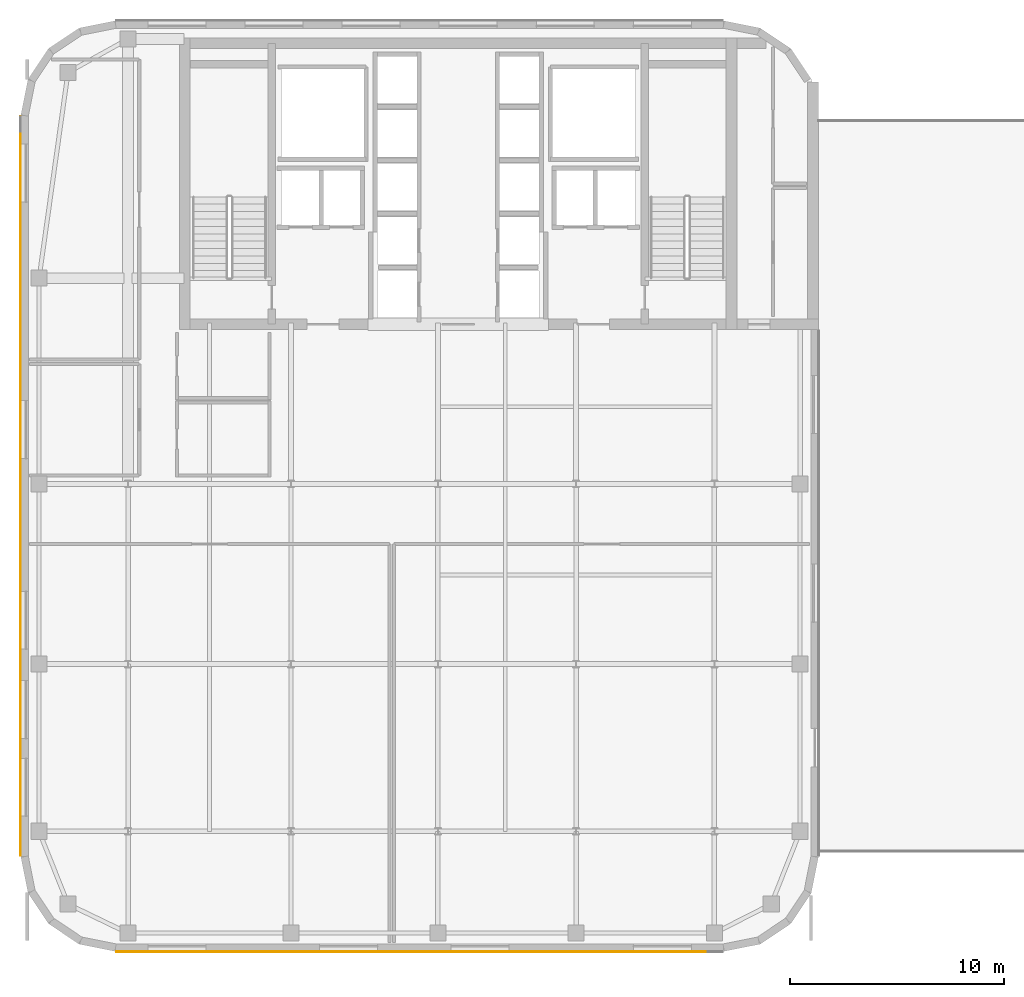
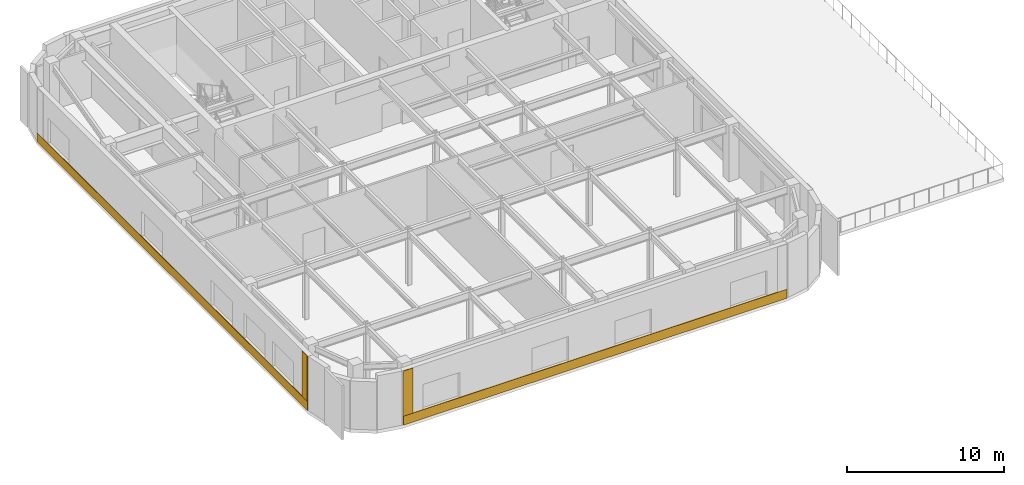
# One storey, part 7 of 10: 4 coverings.
"""IFC4 building model written with IfcOpenShell, lengths in metres."""

from ifc_helpers import new_model, si_unit, direction, frame, origin, place, context, subcontext, project, spatial, polyline, outline, extrude, material, layer, layer_set, type_object, element, save


model = new_model("IFC4")

# Units and contexts
model_context = context("Model", 3, precision=1e-05, world=origin(), true_north=direction((0.0, 1.0)))
body_context = subcontext(model_context, "Body", "Model", "MODEL_VIEW")
ifc_project = project(units=[si_unit("LENGTHUNIT", "METRE"), si_unit("AREAUNIT", "SQUARE_METRE"), si_unit("VOLUMEUNIT", "CUBIC_METRE"), si_unit("PLANEANGLEUNIT", "RADIAN"), si_unit("MASSUNIT", "GRAM", prefix="KILO")], contexts=[model_context])

# Site, building, storey
site_placement = place(None, origin())
site = spatial("IfcSite", under=ifc_project, at=site_placement, CompositionType="ELEMENT")
building_placement = place(site_placement, origin())
building = spatial("IfcBuilding", under=site, at=building_placement, Name="Tolvann Quenvar Hotel", CompositionType="ELEMENT")
storey_placement = place(building_placement, frame((0.0, 0.0, 205.300048828125)))
storey = spatial("IfcBuildingStorey", under=building, at=storey_placement, Name="L54", CompositionType="ELEMENT", Elevation=205.300048828125)

# Coverings
ifc_material_1 = material(Name="Kiln-fired red architectural face brick cladding", Category="masonry")
ifc_layer_1 = layer(ifc_material_1, 0.0400390625)
ifc_layer_set_1 = layer_set([ifc_layer_1], Name="Kiln-fired red architectural face brick cladding")
covering_type_1 = type_object("IfcCoveringType", Name="COV_CLAD_BRICK_40", PredefinedType="CLADDING", material=ifc_layer_set_1)
covering_1_placement = place(storey_placement, frame((0.0, 0.0, 0.699951171875)))
element("IfcCovering", 1, at=covering_1_placement, inside=storey, type_object=covering_type_1, Name="Brick Pier Cladding (L54-E04-P1)", PredefinedType="CLADDING", context=body_context, shape_type="SweptSolid", body=[
    extrude(outline(polyline([(7.067138671875, 2.60009765625), (7.76708984375, 2.60009765625), (7.76708984375, 2.56005859375), (7.067138671875, 2.56005859375), (7.067138671875, 2.60009765625)])), origin(), (0.0, 0.0, 1.0), 3.52001953125),
])
covering_2_placement = place(storey_placement, frame((0.0, 0.0, 0.699951171875)))
element("IfcCovering", 2, at=covering_2_placement, inside=storey, type_object=covering_type_1, Name="Brick Pier Cladding (L54-E19-P2)", PredefinedType="CLADDING", context=body_context, shape_type="SweptSolid", body=[
    extrude(outline(polyline([(2.60009765625, 7.76708984375), (2.60009765625, 7.067138671875), (2.56005859375, 7.067138671875), (2.56005859375, 7.76708984375), (2.60009765625, 7.76708984375)])), origin(), (0.0, 0.0, 1.0), 3.52001953125),
])
ifc_material_2 = material(Name="Moulded buff architectural terracotta spandrel cladding", Category="masonry")
ifc_layer_2 = layer(ifc_material_2, 0.0400390625)
ifc_layer_set_2 = layer_set([ifc_layer_2], Name="Moulded buff architectural terracotta spandrel cladding")
covering_type_2 = type_object("IfcCoveringType", Name="COV_CLAD_TERRA_40", PredefinedType="CLADDING", material=ifc_layer_set_2)
covering_3_placement = place(storey_placement, origin())
element("IfcCovering", 3, at=covering_3_placement, inside=storey, type_object=covering_type_2, Name="Terracotta Spandrel Cladding (L54-E04)", PredefinedType="CLADDING", context=body_context, shape_type="SweptSolid", body=[
    extrude(outline(polyline([(7.05712890625, 2.60009765625), (35.3427734375, 2.60009765625), (35.3427734375, 2.56005859375), (7.05712890625, 2.56005859375), (7.05712890625, 2.60009765625)])), origin(), (0.0, 0.0, 1.0), 0.699951171875),
])
covering_4_placement = place(storey_placement, origin())
element("IfcCovering", 4, at=covering_4_placement, inside=storey, type_object=covering_type_2, Name="Terracotta Spandrel Cladding (L54-E19)", PredefinedType="CLADDING", context=body_context, shape_type="SweptSolid", body=[
    extrude(outline(polyline([(2.60009765625, 41.542724609375), (2.60009765625, 7.05712890625), (2.56005859375, 7.05712890625), (2.56005859375, 41.542724609375), (2.60009765625, 41.542724609375)])), origin(), (0.0, 0.0, 1.0), 0.699951171875),
])

save(model, "model.ifc")
